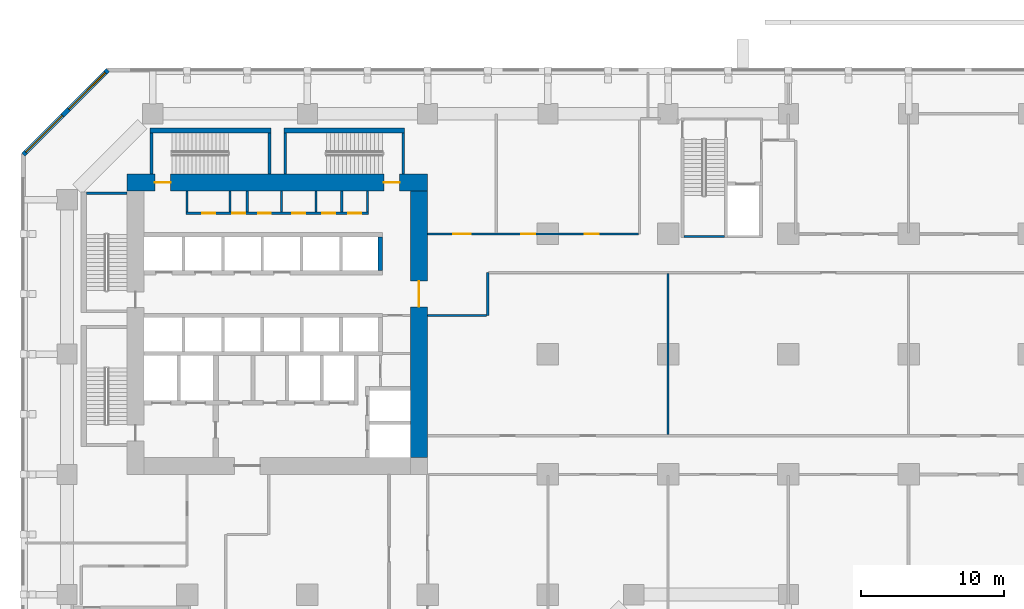
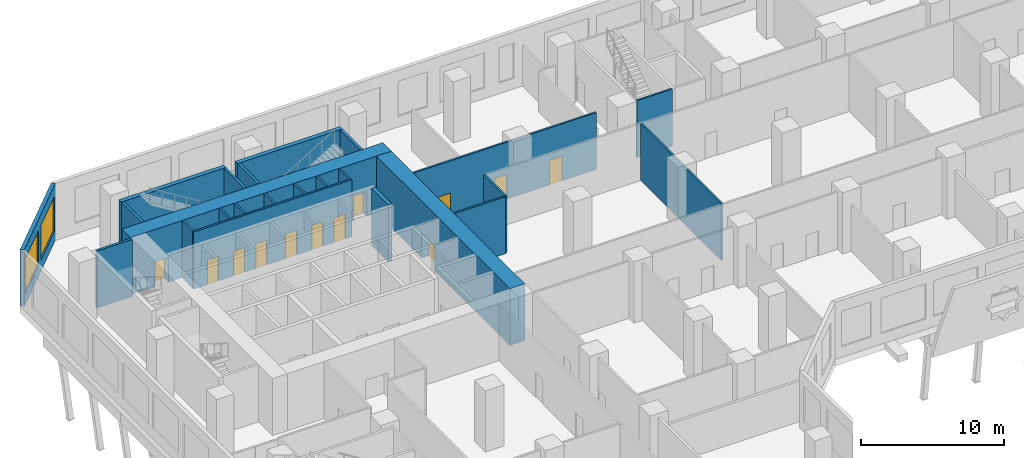
# One storey, part 9 of 21: 24 walls, 12 doors, 2 windows, 14 openings.
"""IFC4 building model written with IfcOpenShell, lengths in metres."""

from ifc_helpers import new_model, si_unit, direction, frame, frame_2d, origin, place, context, subcontext, project, spatial, rectangle, extrude, material, layer, layer_set, type_object, element, fill, save


model = new_model("IFC4")

# Units and contexts
model_context = context("Model", 3, precision=1e-05, world=origin(), true_north=direction((0.0, 1.0)))
body_context = subcontext(model_context, "Body", "Model", "MODEL_VIEW")
ifc_project = project(units=[si_unit("LENGTHUNIT", "METRE"), si_unit("AREAUNIT", "SQUARE_METRE"), si_unit("VOLUMEUNIT", "CUBIC_METRE"), si_unit("PLANEANGLEUNIT", "RADIAN"), si_unit("MASSUNIT", "GRAM", prefix="KILO")], contexts=[model_context])

# Site, building, storey
site_placement = place(None, origin())
site = spatial("IfcSite", under=ifc_project, at=site_placement, CompositionType="ELEMENT")
building_placement = place(site_placement, origin())
building = spatial("IfcBuilding", under=site, at=building_placement, Name="Kawkab Arch Medical Tower", CompositionType="ELEMENT")
storey_placement = place(building_placement, frame((0.0, 0.0, 23.800048828125)))
storey = spatial("IfcBuildingStorey", under=building, at=storey_placement, Name="L05", CompositionType="ELEMENT", Elevation=23.800048828125)

# Wall, openings, doors
ifc_material_1 = material(Name="Concrete C60/75", Category="concrete")
ifc_layer_1 = layer(ifc_material_1, 1.199951171875)
ifc_layer_set_1 = layer_set([ifc_layer_1], Name="Concrete C60/75")
wall_type_1 = type_object("IfcWallType", Name="Core ring wall 1200 C60/75", PredefinedType="SHEAR", material=ifc_layer_set_1)
wall_1_placement = place(storey_placement, frame((4.199951171875, -4.800048828125, 0.0), z_axis=(0.0, 0.0, 1.0), x_axis=(1.0, 0.0, 0.0)))
wall_1 = element("IfcWall", 1, at=wall_1_placement, inside=storey, type_object=wall_type_1, Name="L05 core wall", PredefinedType="SHEAR", context=body_context, shape_type="SweptSolid", body=[
    extrude(rectangle(XDim=21.0, YDim=1.199951171875, at=frame_2d((10.5, 0.0))), origin(), (0.0, 0.0, 1.0), 4.849853515625),
])
opening_1_placement = place(wall_1_placement, frame((1.949951171875, 0.0, 0.0)))
opening_1 = element("IfcOpeningElement", 2, at=opening_1_placement, cuts=wall_1, Name="Opening SD", PredefinedType="OPENING", context=body_context, shape_type="SweptSolid", body=[
    extrude(rectangle(XDim=1.10009765625, YDim=2.10009765625, at=frame_2d((0.550048828125, 1.050048828125))), frame((0.0, 0.60986328125, 0.0), z_axis=(0.0, -1.0, 0.0), x_axis=(1.0, 0.0, 0.0)), (0.0, 0.0, 1.0), 1.219970703125),
])
opening_2_placement = place(wall_1_placement, frame((17.949951171875, 0.0, 0.0)))
opening_2 = element("IfcOpeningElement", 3, at=opening_2_placement, cuts=wall_1, Name="Opening SD", PredefinedType="OPENING", context=body_context, shape_type="SweptSolid", body=[
    extrude(rectangle(XDim=1.10009765625, YDim=2.10009765625, at=frame_2d((0.550048828125, 1.050048828125))), frame((0.0, 0.60986328125, 0.0), z_axis=(0.0, -1.0, 0.0), x_axis=(1.0, 0.0, 0.0)), (0.0, 0.0, 1.0), 1.219970703125),
])
ifc_material_2 = material(Name="Hollow metal fire door leaf")
door_type_1 = type_object("IfcDoorType", Name="Exit stair door 1100", OperationType="SINGLE_SWING_LEFT", PredefinedType="DOOR", material=ifc_material_2)
door_1_placement = place(opening_1_placement, origin())
door_1 = element("IfcDoor", 4, at=door_1_placement, inside=storey, type_object=door_type_1, Name="L05 Exit stair ST3 door", OperationType="SINGLE_SWING_LEFT", OverallHeight=2.10009765625, OverallWidth=1.10009765625, PredefinedType="DOOR", context=body_context, shape_type="SweptSolid", body=[
    extrude(rectangle(XDim=1.10009765625, YDim=2.10009765625, at=frame_2d((0.550048828125, 1.050048828125))), frame((0.0, 0.02490234375, 0.0), z_axis=(0.0, -1.0, 0.0), x_axis=(1.0, 0.0, 0.0)), (0.0, 0.0, 1.0), 0.050048828125),
])
fill(opening_1, door_1)
door_2_placement = place(opening_2_placement, origin())
door_2 = element("IfcDoor", 5, at=door_2_placement, inside=storey, type_object=door_type_1, Name="L05 Exit stair ST4 door", OperationType="SINGLE_SWING_LEFT", OverallHeight=2.10009765625, OverallWidth=1.10009765625, PredefinedType="DOOR", context=body_context, shape_type="SweptSolid", body=[
    extrude(rectangle(XDim=1.10009765625, YDim=2.10009765625, at=frame_2d((0.550048828125, 1.050048828125))), frame((0.0, 0.02490234375, 0.0), z_axis=(0.0, -1.0, 0.0), x_axis=(1.0, 0.0, 0.0)), (0.0, 0.0, 1.0), 0.050048828125),
])
fill(opening_2, door_2)

# Wall, opening, door
wall_2_placement = place(storey_placement, frame((24.60009765625, -24.0, 0.0), z_axis=(0.0, 0.0, 1.0), x_axis=(0.0, 1.0, 0.0)))
wall_2 = element("IfcWall", 6, at=wall_2_placement, inside=storey, type_object=wall_type_1, Name="L05 core wall", PredefinedType="SHEAR", context=body_context, shape_type="SweptSolid", body=[
    extrude(rectangle(XDim=18.60009765625, YDim=1.199951171875, at=frame_2d((9.300048828125, 0.0))), origin(), (0.0, 0.0, 1.0), 4.849853515625),
])
opening_3_placement = place(wall_2_placement, frame((10.5, 0.0, 0.0)))
opening_3 = element("IfcOpeningElement", 7, at=opening_3_placement, cuts=wall_2, Name="Opening PD", PredefinedType="OPENING", context=body_context, shape_type="SweptSolid", body=[
    extrude(rectangle(XDim=1.800048828125, YDim=2.10009765625, at=frame_2d((0.89990234375, 1.050048828125))), frame((0.0, 0.60986328125, 0.0), z_axis=(0.0, -1.0, 0.0), x_axis=(1.0, 0.0, 0.0)), (0.0, 0.0, 1.0), 1.219970703125),
])
ifc_material_3 = material(Name="Hollow metal fire door leaf")
door_type_2 = type_object("IfcDoorType", Name="Core entrance doors 1800", OperationType="DOUBLE_DOOR_SINGLE_SWING", PredefinedType="DOOR", material=ifc_material_3)
door_3_placement = place(opening_3_placement, origin())
door_3 = element("IfcDoor", 8, at=door_3_placement, inside=storey, type_object=door_type_2, Name="L05 East entrance doors", OperationType="DOUBLE_DOOR_SINGLE_SWING", OverallHeight=2.10009765625, OverallWidth=1.800048828125, PredefinedType="DOOR", context=body_context, shape_type="SweptSolid", body=[
    extrude(rectangle(XDim=1.800048828125, YDim=2.10009765625, at=frame_2d((0.89990234375, 1.050048828125))), frame((0.0, 0.02490234375, 0.0), z_axis=(0.0, -1.0, 0.0), x_axis=(1.0, 0.0, 0.0)), (0.0, 0.0, 1.0), 0.050048828125),
])
fill(opening_3, door_3)

# Wall, openings, doors
ifc_material_4 = material(Name="Gypsum board on steel studs", Category="steel")
ifc_layer_2 = layer(ifc_material_4, 0.14990234375)
ifc_layer_set_2 = layer_set([ifc_layer_2], Name="Gypsum board on steel studs")
wall_type_2 = type_object("IfcWallType", Name="Core room partition 150", PredefinedType="PARTITIONING", material=ifc_layer_set_2)
wall_3_placement = place(storey_placement, frame((8.324951171875, -6.949951171875, 0.0), z_axis=(0.0, 0.0, 1.0), x_axis=(1.0, 0.0, 0.0)))
wall_3 = element("IfcWall", 9, at=wall_3_placement, inside=storey, type_object=wall_type_2, Name="L05 core room partition", PredefinedType="PARTITIONING", context=body_context, shape_type="SweptSolid", body=[
    extrude(rectangle(XDim=12.75, YDim=0.14990234375, at=frame_2d((6.375, 0.0))), origin(), (0.0, 0.0, 1.0), 4.849853515625),
])
opening_4_placement = place(wall_3_placement, frame((1.125, 0.0, 0.0)))
opening_4 = element("IfcOpeningElement", 10, at=opening_4_placement, cuts=wall_3, Name="Opening RD", PredefinedType="OPENING", context=body_context, shape_type="SweptSolid", body=[
    extrude(rectangle(XDim=0.89990234375, YDim=2.10009765625, at=frame_2d((0.449951171875, 1.050048828125))), frame((0.0, 0.0849609375, 0.0), z_axis=(0.0, -1.0, 0.0), x_axis=(1.0, 0.0, 0.0)), (0.0, 0.0, 1.0), 0.169921875),
])
opening_5_placement = place(wall_3_placement, frame((3.22509765625, 0.0, 0.0)))
opening_5 = element("IfcOpeningElement", 11, at=opening_5_placement, cuts=wall_3, Name="Opening RD", PredefinedType="OPENING", context=body_context, shape_type="SweptSolid", body=[
    extrude(rectangle(XDim=0.89990234375, YDim=2.10009765625, at=frame_2d((0.449951171875, 1.050048828125))), frame((0.0, 0.0849609375, 0.0), z_axis=(0.0, -1.0, 0.0), x_axis=(1.0, 0.0, 0.0)), (0.0, 0.0, 1.0), 0.169921875),
])
opening_6_placement = place(wall_3_placement, frame((5.02490234375, 0.0, 0.0)))
opening_6 = element("IfcOpeningElement", 12, at=opening_6_placement, cuts=wall_3, Name="Opening RD", PredefinedType="OPENING", context=body_context, shape_type="SweptSolid", body=[
    extrude(rectangle(XDim=0.89990234375, YDim=2.10009765625, at=frame_2d((0.449951171875, 1.050048828125))), frame((0.0, 0.0849609375, 0.0), z_axis=(0.0, -1.0, 0.0), x_axis=(1.0, 0.0, 0.0)), (0.0, 0.0, 1.0), 0.169921875),
])
opening_7_placement = place(wall_3_placement, frame((7.425048828125, 0.0, 0.0)))
opening_7 = element("IfcOpeningElement", 13, at=opening_7_placement, cuts=wall_3, Name="Opening RD", PredefinedType="OPENING", context=body_context, shape_type="SweptSolid", body=[
    extrude(rectangle(XDim=0.89990234375, YDim=2.10009765625, at=frame_2d((0.449951171875, 1.050048828125))), frame((0.0, 0.0849609375, 0.0), z_axis=(0.0, -1.0, 0.0), x_axis=(1.0, 0.0, 0.0)), (0.0, 0.0, 1.0), 0.169921875),
])
opening_8_placement = place(wall_3_placement, frame((9.52490234375, 0.0, 0.0)))
opening_8 = element("IfcOpeningElement", 14, at=opening_8_placement, cuts=wall_3, Name="Opening RD", PredefinedType="OPENING", context=body_context, shape_type="SweptSolid", body=[
    extrude(rectangle(XDim=0.89990234375, YDim=2.10009765625, at=frame_2d((0.449951171875, 1.050048828125))), frame((0.0, 0.0849609375, 0.0), z_axis=(0.0, -1.0, 0.0), x_axis=(1.0, 0.0, 0.0)), (0.0, 0.0, 1.0), 0.169921875),
])
opening_9_placement = place(wall_3_placement, frame((11.324951171875, 0.0, 0.0)))
opening_9 = element("IfcOpeningElement", 15, at=opening_9_placement, cuts=wall_3, Name="Opening RD", PredefinedType="OPENING", context=body_context, shape_type="SweptSolid", body=[
    extrude(rectangle(XDim=0.89990234375, YDim=2.10009765625, at=frame_2d((0.449951171875, 1.050048828125))), frame((0.0, 0.0849609375, 0.0), z_axis=(0.0, -1.0, 0.0), x_axis=(1.0, 0.0, 0.0)), (0.0, 0.0, 1.0), 0.169921875),
])
ifc_material_5 = material(Name="Hollow metal fire door leaf")
door_type_3 = type_object("IfcDoorType", Name="Core room door 900", OperationType="SINGLE_SWING_LEFT", PredefinedType="DOOR", material=ifc_material_5)
door_4_placement = place(opening_4_placement, origin())
door_4 = element("IfcDoor", 16, at=door_4_placement, inside=storey, type_object=door_type_3, Name="L05 General store door", OperationType="SINGLE_SWING_LEFT", OverallHeight=2.10009765625, OverallWidth=0.89990234375, PredefinedType="DOOR", context=body_context, shape_type="SweptSolid", body=[
    extrude(rectangle(XDim=0.89990234375, YDim=2.10009765625, at=frame_2d((0.449951171875, 1.050048828125))), frame((0.0, 0.02490234375, 0.0), z_axis=(0.0, -1.0, 0.0), x_axis=(1.0, 0.0, 0.0)), (0.0, 0.0, 1.0), 0.050048828125),
])
fill(opening_4, door_4)
door_5_placement = place(opening_5_placement, origin())
door_5 = element("IfcDoor", 17, at=door_5_placement, inside=storey, type_object=door_type_3, Name="L05 Electrical riser room door", OperationType="SINGLE_SWING_LEFT", OverallHeight=2.10009765625, OverallWidth=0.89990234375, PredefinedType="DOOR", context=body_context, shape_type="SweptSolid", body=[
    extrude(rectangle(XDim=0.89990234375, YDim=2.10009765625, at=frame_2d((0.449951171875, 1.050048828125))), frame((0.0, 0.02490234375, 0.0), z_axis=(0.0, -1.0, 0.0), x_axis=(1.0, 0.0, 0.0)), (0.0, 0.0, 1.0), 0.050048828125),
])
fill(opening_5, door_5)
door_6_placement = place(opening_6_placement, origin())
door_6 = element("IfcDoor", 18, at=door_6_placement, inside=storey, type_object=door_type_3, Name="L05 Housekeeping store door", OperationType="SINGLE_SWING_LEFT", OverallHeight=2.10009765625, OverallWidth=0.89990234375, PredefinedType="DOOR", context=body_context, shape_type="SweptSolid", body=[
    extrude(rectangle(XDim=0.89990234375, YDim=2.10009765625, at=frame_2d((0.449951171875, 1.050048828125))), frame((0.0, 0.02490234375, 0.0), z_axis=(0.0, -1.0, 0.0), x_axis=(1.0, 0.0, 0.0)), (0.0, 0.0, 1.0), 0.050048828125),
])
fill(opening_6, door_6)
door_7_placement = place(opening_7_placement, origin())
door_7 = element("IfcDoor", 19, at=door_7_placement, inside=storey, type_object=door_type_3, Name="L05 UPS room door", OperationType="SINGLE_SWING_LEFT", OverallHeight=2.10009765625, OverallWidth=0.89990234375, PredefinedType="DOOR", context=body_context, shape_type="SweptSolid", body=[
    extrude(rectangle(XDim=0.89990234375, YDim=2.10009765625, at=frame_2d((0.449951171875, 1.050048828125))), frame((0.0, 0.02490234375, 0.0), z_axis=(0.0, -1.0, 0.0), x_axis=(1.0, 0.0, 0.0)), (0.0, 0.0, 1.0), 0.050048828125),
])
fill(opening_7, door_7)
door_8_placement = place(opening_8_placement, origin())
door_8 = element("IfcDoor", 20, at=door_8_placement, inside=storey, type_object=door_type_3, Name="L05 Comms room door", OperationType="SINGLE_SWING_LEFT", OverallHeight=2.10009765625, OverallWidth=0.89990234375, PredefinedType="DOOR", context=body_context, shape_type="SweptSolid", body=[
    extrude(rectangle(XDim=0.89990234375, YDim=2.10009765625, at=frame_2d((0.449951171875, 1.050048828125))), frame((0.0, 0.02490234375, 0.0), z_axis=(0.0, -1.0, 0.0), x_axis=(1.0, 0.0, 0.0)), (0.0, 0.0, 1.0), 0.050048828125),
])
fill(opening_8, door_8)
door_9_placement = place(opening_9_placement, origin())
door_9 = element("IfcDoor", 21, at=door_9_placement, inside=storey, type_object=door_type_3, Name="L05 Electrical riser room door", OperationType="SINGLE_SWING_LEFT", OverallHeight=2.10009765625, OverallWidth=0.89990234375, PredefinedType="DOOR", context=body_context, shape_type="SweptSolid", body=[
    extrude(rectangle(XDim=0.89990234375, YDim=2.10009765625, at=frame_2d((0.449951171875, 1.050048828125))), frame((0.0, 0.02490234375, 0.0), z_axis=(0.0, -1.0, 0.0), x_axis=(1.0, 0.0, 0.0)), (0.0, 0.0, 1.0), 0.050048828125),
])
fill(opening_9, door_9)

# Walls
for number, where, z_axis, x_axis, name in (
    (22, (8.39990234375, -6.875, 0.0), (0.0, 0.0, 1.0), (0.0, 1.0, 0.0), "L05 core room partition"),
    (23, (11.39990234375, -6.875, 0.0), (0.0, 0.0, 1.0), (0.0, 1.0, 0.0), "L05 core room partition"),
    (24, (12.60009765625, -6.875, 0.0), (0.0, 0.0, 1.0), (0.0, 1.0, 0.0), "L05 core room partition"),
    (25, (15.0, -6.875, 0.0), (0.0, 0.0, 1.0), (0.0, 1.0, 0.0), "L05 core room partition"),
    (26, (17.39990234375, -6.875, 0.0), (0.0, 0.0, 1.0), (0.0, 1.0, 0.0), "L05 core room partition"),
    (27, (19.199951171875, -6.875, 0.0), (0.0, 0.0, 1.0), (0.0, 1.0, 0.0), "L05 core room partition"),
    (28, (21.0, -6.875, 0.0), (0.0, 0.0, 1.0), (0.0, 1.0, 0.0), "L05 core room partition"),
):
    element("IfcWall", number, at=place(storey_placement, frame(where, z_axis=z_axis, x_axis=x_axis)), inside=storey, type_object=wall_type_2, Name=name, PredefinedType="PARTITIONING", context=body_context, shape_type="SweptSolid", body=[
        extrude(rectangle(XDim=1.47509765625, YDim=0.14990234375, at=frame_2d((0.737548828125, 0.0))), origin(), (0.0, 0.0, 1.0), 4.849853515625),
    ])
ifc_material_6 = material(Name="Concrete C60/75", Category="concrete")
ifc_layer_3 = layer(ifc_material_6, 0.300048828125)
ifc_layer_set_3 = layer_set([ifc_layer_3], Name="Concrete C60/75")
wall_type_3 = type_object("IfcWallType", Name="Core shear wall 300 C60/75", PredefinedType="SHEAR", material=ifc_layer_set_3)
wall_4_placement = place(storey_placement, frame((21.89990234375, -10.949951171875, 0.0), z_axis=(0.0, 0.0, 1.0), x_axis=(0.0, 1.0, 0.0)))
element("IfcWall", 29, at=wall_4_placement, inside=storey, type_object=wall_type_3, Name="L05 core shear wall", PredefinedType="SHEAR", context=body_context, shape_type="SweptSolid", body=[
    extrude(rectangle(XDim=2.349853515625, YDim=0.300048828125, at=frame_2d((1.1748046875, 0.0))), origin(), (0.0, 0.0, 1.0), 4.849853515625),
])
ifc_material_7 = material(Name="Gypsum board partition on steel studs, mineral wool", Category="steel")
ifc_layer_4 = layer(ifc_material_7, 0.14990234375)
ifc_layer_set_4 = layer_set([ifc_layer_4], Name="Gypsum board partition on steel studs, mineral wool")
wall_type_4 = type_object("IfcWallType", Name="Partition 150", PredefinedType="PARTITIONING", material=ifc_layer_set_4)
wall_5_placement = place(storey_placement, frame((25.199951171875, -14.10009765625, 0.0), z_axis=(0.0, 0.0, 1.0), x_axis=(1.0, 0.0, 0.0)))
element("IfcWall", 30, at=wall_5_placement, inside=storey, type_object=wall_type_4, Name="Partition 150 w025", PredefinedType="PARTITIONING", context=body_context, shape_type="SweptSolid", body=[
    extrude(rectangle(XDim=4.125, YDim=0.14990234375, at=frame_2d((2.0625, 0.0))), origin(), (0.0, 0.0, 1.0), 4.849853515625),
])

# Wall, openings, doors
wall_6_placement = place(storey_placement, frame((25.199951171875, -8.39990234375, 0.0), z_axis=(0.0, 0.0, 1.0), x_axis=(1.0, 0.0, 0.0)))
wall_6 = element("IfcWall", 31, at=wall_6_placement, inside=storey, type_object=wall_type_4, Name="Partition 150 w028", PredefinedType="PARTITIONING", context=body_context, shape_type="SweptSolid", body=[
    extrude(rectangle(XDim=14.73193359375, YDim=0.14990234375, at=frame_2d((7.365966796875, 0.0))), origin(), (0.0, 0.0, 1.0), 4.849853515625),
])
opening_10_placement = place(wall_6_placement, frame((1.800048828125, 0.0, 0.0)))
opening_10 = element("IfcOpeningElement", 32, at=opening_10_placement, cuts=wall_6, Name="Opening P05-062", PredefinedType="OPENING", context=body_context, shape_type="SweptSolid", body=[
    extrude(rectangle(XDim=1.199951171875, YDim=2.10009765625, at=frame_2d((0.60009765625, 1.050048828125))), frame((0.0, 0.0849609375, 0.0), z_axis=(0.0, -1.0, 0.0), x_axis=(1.0, 0.0, 0.0)), (0.0, 0.0, 1.0), 0.169921875),
])
opening_11_placement = place(wall_6_placement, frame((6.535888671875, 0.0, 0.0)))
opening_11 = element("IfcOpeningElement", 33, at=opening_11_placement, cuts=wall_6, Name="Opening P05-004", PredefinedType="OPENING", context=body_context, shape_type="SweptSolid", body=[
    extrude(rectangle(XDim=1.0, YDim=2.10009765625, at=frame_2d((0.5, 1.050048828125))), frame((0.0, 0.0849609375, 0.0), z_axis=(0.0, -1.0, 0.0), x_axis=(1.0, 0.0, 0.0)), (0.0, 0.0, 1.0), 0.169921875),
])
opening_12_placement = place(wall_6_placement, frame((10.970947265625, 0.0, 0.0)))
opening_12 = element("IfcOpeningElement", 34, at=opening_12_placement, cuts=wall_6, Name="Opening P05-005", PredefinedType="OPENING", context=body_context, shape_type="SweptSolid", body=[
    extrude(rectangle(XDim=1.0, YDim=2.10009765625, at=frame_2d((0.5, 1.050048828125))), frame((0.0, 0.0849609375, 0.0), z_axis=(0.0, -1.0, 0.0), x_axis=(1.0, 0.0, 0.0)), (0.0, 0.0, 1.0), 0.169921875),
])
ifc_material_8 = material(Name="Hollow metal door leaf")
door_type_4 = type_object("IfcDoorType", Name="Single door 1000x2100 FD30S", OperationType="NOTDEFINED", PredefinedType="DOOR", material=ifc_material_8)
door_10_placement = place(opening_11_placement, origin())
door_10 = element("IfcDoor", 35, at=door_10_placement, inside=storey, type_object=door_type_4, Name="Door P05-004", OperationType="SINGLE_SWING_LEFT", OverallHeight=2.10009765625, OverallWidth=1.0, PredefinedType="DOOR", context=body_context, shape_type="SweptSolid", body=[
    extrude(rectangle(XDim=1.0, YDim=2.10009765625, at=frame_2d((0.5, 1.050048828125))), frame((0.0, 0.02490234375, 0.0), z_axis=(0.0, -1.0, 0.0), x_axis=(1.0, 0.0, 0.0)), (0.0, 0.0, 1.0), 0.050048828125),
])
fill(opening_11, door_10)
door_11_placement = place(opening_12_placement, origin())
door_11 = element("IfcDoor", 36, at=door_11_placement, inside=storey, type_object=door_type_4, Name="Door P05-005", OperationType="SINGLE_SWING_RIGHT", OverallHeight=2.10009765625, OverallWidth=1.0, PredefinedType="DOOR", context=body_context, shape_type="SweptSolid", body=[
    extrude(rectangle(XDim=1.0, YDim=2.10009765625, at=frame_2d((0.5, 1.050048828125))), frame((0.0, 0.02490234375, 0.0), z_axis=(0.0, -1.0, 0.0), x_axis=(1.0, 0.0, 0.0)), (0.0, 0.0, 1.0), 0.050048828125),
])
fill(opening_12, door_11)
ifc_material_9 = material(Name="Hollow metal door leaf")
door_type_5 = type_object("IfcDoorType", Name="Single door 1200x2100 FD30S", OperationType="NOTDEFINED", PredefinedType="DOOR", material=ifc_material_9)
door_12_placement = place(opening_10_placement, origin())
door_12 = element("IfcDoor", 37, at=door_12_placement, inside=storey, type_object=door_type_5, Name="Door P05-062", OperationType="SINGLE_SWING_LEFT", OverallHeight=2.10009765625, OverallWidth=1.199951171875, PredefinedType="DOOR", context=body_context, shape_type="SweptSolid", body=[
    extrude(rectangle(XDim=1.199951171875, YDim=2.10009765625, at=frame_2d((0.60009765625, 1.050048828125))), frame((0.0, 0.02490234375, 0.0), z_axis=(0.0, -1.0, 0.0), x_axis=(1.0, 0.0, 0.0)), (0.0, 0.0, 1.0), 0.050048828125),
])
fill(opening_10, door_12)

# Walls
wall_7_placement = place(storey_placement, frame((29.39990234375, -14.10009765625, 0.0), z_axis=(0.0, 0.0, 1.0), x_axis=(0.0, 1.0, 0.0)))
element("IfcWall", 38, at=wall_7_placement, inside=storey, type_object=wall_type_4, Name="Partition 150 w047", PredefinedType="PARTITIONING", context=body_context, shape_type="SweptSolid", body=[
    extrude(rectangle(XDim=3.0, YDim=0.14990234375, at=frame_2d((1.5, 0.0))), origin(), (0.0, 0.0, 1.0), 4.849853515625),
])
wall_8_placement = place(storey_placement, frame((42.0, -22.425048828125, 0.0), z_axis=(0.0, 0.0, 1.0), x_axis=(0.0, 1.0, 0.0)))
element("IfcWall", 39, at=wall_8_placement, inside=storey, type_object=wall_type_4, Name="Partition 150 w053", PredefinedType="PARTITIONING", context=body_context, shape_type="SweptSolid", body=[
    extrude(rectangle(XDim=11.25, YDim=0.14990234375, at=frame_2d((5.625, 0.0))), origin(), (0.0, 0.0, 1.0), 4.849853515625),
])

# Wall, openings, windows
ifc_material_10 = material(Name="Bronze clad insulated wall panel")
ifc_layer_5 = layer(ifc_material_10, 0.300048828125)
ifc_layer_set_5 = layer_set([ifc_layer_5], Name="Bronze clad insulated wall panel")
wall_type_5 = type_object("IfcWallType", Name="Podium external wall 300", PredefinedType="SOLIDWALL", material=ifc_layer_set_5)
wall_9_placement = place(storey_placement, frame((2.862060546875, 3.050048828125, 0.0), z_axis=(0.0, 0.0, 1.0), x_axis=(-0.707106781187, -0.707106781187, 0.0)))
wall_9 = element("IfcWall", 40, at=wall_9_placement, inside=storey, type_object=wall_type_5, Name="Podium external wall L05 R01", PredefinedType="SOLIDWALL", context=body_context, shape_type="SweptSolid", body=[
    extrude(rectangle(XDim=8.361083984375, YDim=0.300048828125, at=frame_2d((4.1806640625, 0.0))), origin(), (0.0, 0.0, 1.0), 4.849853515625),
])
opening_13_placement = place(wall_9_placement, frame((0.259033203125, 0.0, 0.89990234375)))
opening_13 = element("IfcOpeningElement", 41, at=opening_13_placement, cuts=wall_9, Name="Opening PBW360-30-S9", PredefinedType="OPENING", context=body_context, shape_type="SweptSolid", body=[
    extrude(rectangle(XDim=3.60009765625, YDim=3.0, at=frame_2d((1.800048828125, 1.5))), frame((0.0, 0.159912109375, 0.0), z_axis=(0.0, -1.0, 0.0), x_axis=(1.0, 0.0, 0.0)), (0.0, 0.0, 1.0), 0.320068359375),
])
opening_14_placement = place(wall_9_placement, frame((4.501708984375, 0.0, 0.89990234375)))
opening_14 = element("IfcOpeningElement", 42, at=opening_14_placement, cuts=wall_9, Name="Opening PBW360-30-S9", PredefinedType="OPENING", context=body_context, shape_type="SweptSolid", body=[
    extrude(rectangle(XDim=3.60009765625, YDim=3.0, at=frame_2d((1.800048828125, 1.5))), frame((0.0, 0.159912109375, 0.0), z_axis=(0.0, -1.0, 0.0), x_axis=(1.0, 0.0, 0.0)), (0.0, 0.0, 1.0), 0.320068359375),
])
ifc_material_11 = material(Name="Bronze anodised aluminium louvred window", Category="aluminium")
window_type = type_object("IfcWindowType", Name="Podium band window 3600 x 3000 sill 900", PartitioningType="DOUBLE_PANEL_VERTICAL", PredefinedType="WINDOW", material=ifc_material_11)
window_1_placement = place(opening_13_placement, origin())
window_1 = element("IfcWindow", 43, at=window_1_placement, inside=storey, type_object=window_type, Name="Band window L05 R01.1", OverallHeight=3.0, OverallWidth=3.60009765625, PartitioningType="SINGLE_PANEL", PredefinedType="WINDOW", context=body_context, shape_type="SweptSolid", body=[
    extrude(rectangle(XDim=3.60009765625, YDim=3.0, at=frame_2d((1.800048828125, 1.5))), frame((0.0, 0.030029296875, 0.0), z_axis=(0.0, -1.0, 0.0), x_axis=(1.0, 0.0, 0.0)), (0.0, 0.0, 1.0), 0.06005859375),
])
fill(opening_13, window_1)
window_2_placement = place(opening_14_placement, origin())
window_2 = element("IfcWindow", 44, at=window_2_placement, inside=storey, type_object=window_type, Name="Band window L05 R01.2", OverallHeight=3.0, OverallWidth=3.60009765625, PartitioningType="SINGLE_PANEL", PredefinedType="WINDOW", context=body_context, shape_type="SweptSolid", body=[
    extrude(rectangle(XDim=3.60009765625, YDim=3.0, at=frame_2d((1.800048828125, 1.5))), frame((0.0, 0.030029296875, 0.0), z_axis=(0.0, -1.0, 0.0), x_axis=(1.0, 0.0, 0.0)), (0.0, 0.0, 1.0), 0.06005859375),
])
fill(opening_14, window_2)

# Walls
ifc_material_12 = material(Name="Concrete C50/60", Category="concrete")
ifc_layer_6 = layer(ifc_material_12, 0.14990234375)
ifc_layer_set_6 = layer_set([ifc_layer_6], Name="Concrete C50/60")
wall_type_6 = type_object("IfcWallType", Name="Stair enclosure wall 150 C50/60", PredefinedType="SHEAR", material=ifc_layer_set_6)
wall_10_placement = place(storey_placement, frame((43.10009765625, -8.574951171875, 0.0), z_axis=(0.0, 0.0, 1.0), x_axis=(1.0, 0.0, 0.0)))
element("IfcWall", 45, at=wall_10_placement, inside=storey, type_object=wall_type_6, Name="L05 stair enclosure wall", PredefinedType="SHEAR", context=body_context, shape_type="SweptSolid", body=[
    extrude(rectangle(XDim=2.849853515625, YDim=0.14990234375, at=frame_2d((1.4248046875, 0.0))), origin(), (0.0, 0.0, 1.0), 4.849853515625),
])
ifc_material_13 = material(Name="Concrete C50/60", Category="concrete")
ifc_layer_7 = layer(ifc_material_13, 0.199951171875)
ifc_layer_set_7 = layer_set([ifc_layer_7], Name="Concrete C50/60")
wall_type_7 = type_object("IfcWallType", Name="Stair enclosure wall 200 C50/60", PredefinedType="SHEAR", material=ifc_layer_set_7)
for number, where, z_axis, x_axis, name in (
    (46, (1.35009765625, -5.550048828125, 0.0), (0.0, 0.0, 1.0), (1.0, 0.0, 0.0), "L05 stair enclosure wall"),
    (47, (5.89990234375, -4.199951171875, 0.0), (0.0, 0.0, 1.0), (0.0, 1.0, 0.0), "L05 stair enclosure wall"),
    (48, (14.14990234375, -4.199951171875, 0.0), (0.0, 0.0, 1.0), (0.0, 1.0, 0.0), "L05 stair enclosure wall"),
    (49, (15.25, -4.199951171875, 0.0), (0.0, 0.0, 1.0), (0.0, 1.0, 0.0), "L05 stair enclosure wall"),
    (50, (23.5, -4.199951171875, 0.0), (0.0, 0.0, 1.0), (0.0, 1.0, 0.0), "L05 stair enclosure wall"),
):
    element("IfcWall", number, at=place(storey_placement, frame(where, z_axis=z_axis, x_axis=x_axis)), inside=storey, type_object=wall_type_7, Name=name, PredefinedType="SHEAR", context=body_context, shape_type="SweptSolid", body=[
        extrude(rectangle(XDim=2.849853515625, YDim=0.199951171875, at=frame_2d((1.4248046875, 0.0))), origin(), (0.0, 0.0, 1.0), 4.849853515625),
    ])
ifc_material_14 = material(Name="Concrete C50/60", Category="concrete")
ifc_layer_8 = layer(ifc_material_14, 0.35009765625)
ifc_layer_set_8 = layer_set([ifc_layer_8], Name="Concrete C50/60")
wall_type_8 = type_object("IfcWallType", Name="Stair enclosure wall 350 C50/60", PredefinedType="SHEAR", material=ifc_layer_set_8)
wall_11_placement = place(storey_placement, frame((5.800048828125, -1.175048828125, 0.0), z_axis=(0.0, 0.0, 1.0), x_axis=(1.0, 0.0, 0.0)))
element("IfcWall", 51, at=wall_11_placement, inside=storey, type_object=wall_type_8, Name="L05 stair enclosure wall", PredefinedType="SHEAR", context=body_context, shape_type="SweptSolid", body=[
    extrude(rectangle(XDim=8.449951171875, YDim=0.35009765625, at=frame_2d((4.22509765625, 0.0))), origin(), (0.0, 0.0, 1.0), 4.849853515625),
])
wall_12_placement = place(storey_placement, frame((15.14990234375, -1.175048828125, 0.0), z_axis=(0.0, 0.0, 1.0), x_axis=(1.0, 0.0, 0.0)))
element("IfcWall", 52, at=wall_12_placement, inside=storey, type_object=wall_type_8, Name="L05 stair enclosure wall", PredefinedType="SHEAR", context=body_context, shape_type="SweptSolid", body=[
    extrude(rectangle(XDim=8.4501953125, YDim=0.35009765625, at=frame_2d((4.22509765625, 0.0))), origin(), (0.0, 0.0, 1.0), 4.849853515625),
])

save(model, "model.ifc")
